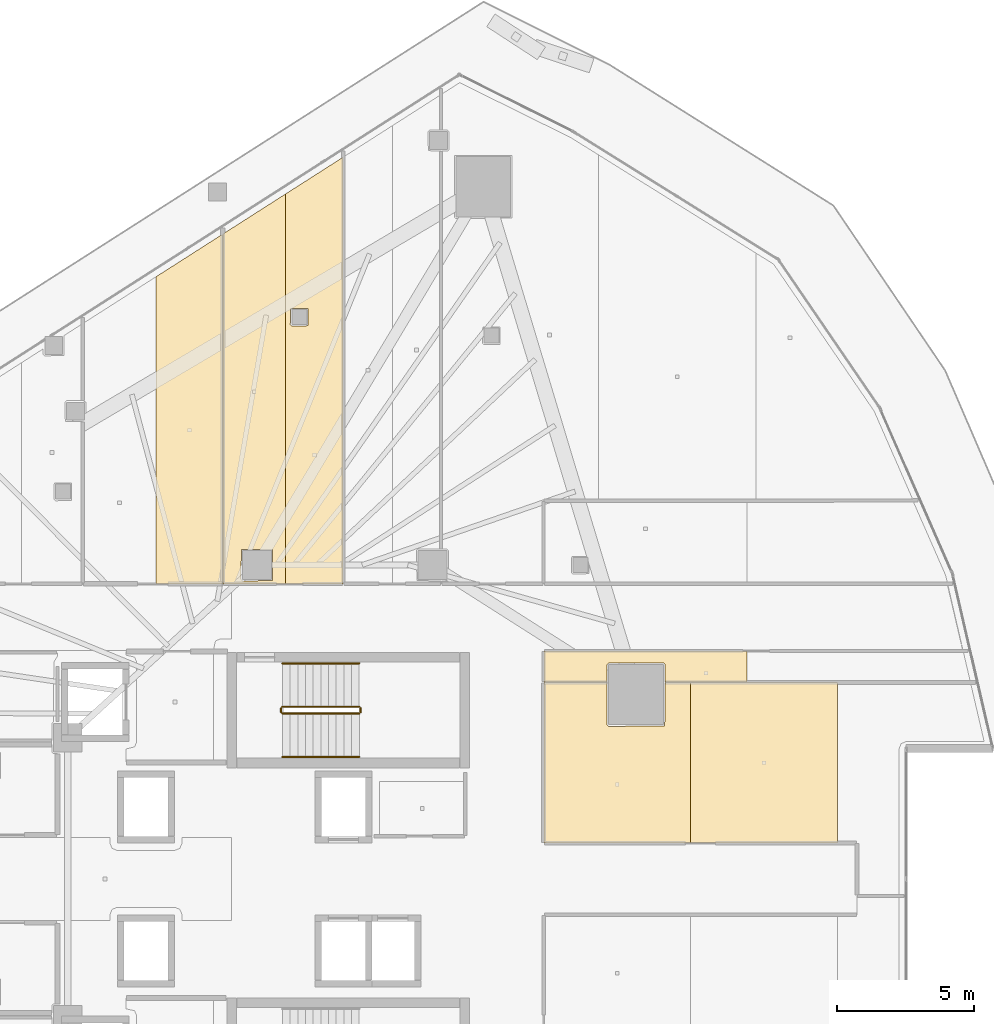
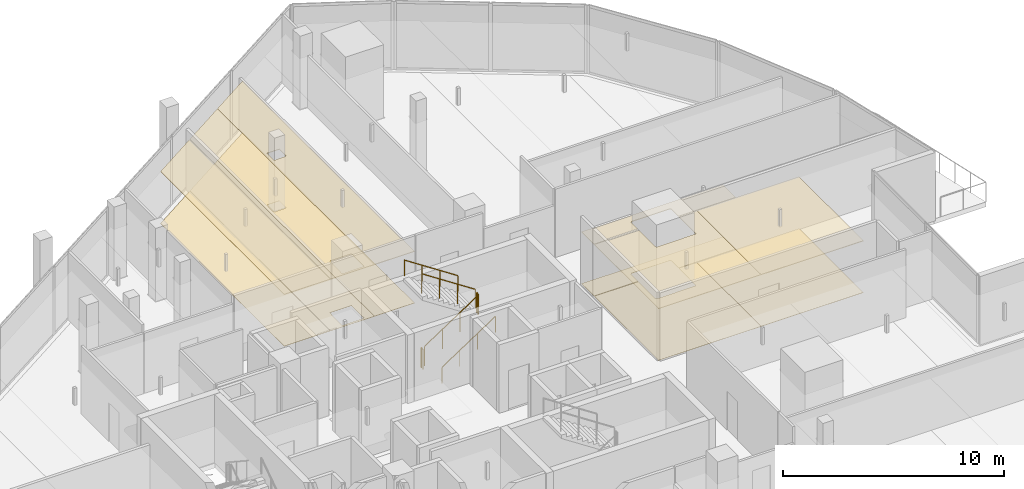
# One storey, part 38 of 39: 12 coverings, 6 railings.
"""IFC4 building model written with IfcOpenShell, lengths in metres."""

from ifc_helpers import new_model, si_unit, direction, frame, origin, origin_2d, place, context, subcontext, project, spatial, polyline, circle, outline, extrude, material, layer, layer_set, type_object, element, save


model = new_model("IFC4")

# Units and contexts
model_context = context("Model", 3, precision=1e-05, world=origin(), true_north=direction((0.0, 1.0)))
body_context = subcontext(model_context, "Body", "Model", "MODEL_VIEW")
ifc_project = project(units=[si_unit("LENGTHUNIT", "METRE"), si_unit("AREAUNIT", "SQUARE_METRE"), si_unit("VOLUMEUNIT", "CUBIC_METRE"), si_unit("PLANEANGLEUNIT", "RADIAN"), si_unit("MASSUNIT", "GRAM", prefix="KILO")], contexts=[model_context])

# Site, building, storey
site_placement = place(None, origin())
site = spatial("IfcSite", under=ifc_project, at=site_placement, CompositionType="ELEMENT")
building_placement = place(site_placement, origin())
building = spatial("IfcBuilding", under=site, at=building_placement, Name="Qorvath Tower", CompositionType="ELEMENT")
storey_placement = place(building_placement, frame((0.0, 0.0, 162.449951171875)))
storey = spatial("IfcBuildingStorey", under=building, at=storey_placement, Name="L37", CompositionType="ELEMENT", Elevation=162.449951171875)

# Coverings
ifc_material_1 = material(Name="Acoustic mineral fibre ceiling tile", Category="gypsum")
ifc_layer_1 = layer(ifc_material_1, 0.030029296875)
ifc_layer_set_1 = layer_set([ifc_layer_1], Name="COV-CEIL")
covering_type_1 = type_object("IfcCoveringType", Name="COV-CEIL", PredefinedType="CEILING", material=ifc_layer_set_1)
covering_1_placement = place(storey_placement, frame((0.0, 0.0, 2.85009765625)))
element("IfcCovering", 1, at=covering_1_placement, inside=storey, type_object=covering_type_1, Name="L37 Suspended Acoustic Ceiling 014", PredefinedType="CEILING", context=body_context, shape_type="SweptSolid", body=[
    extrude(outline(polyline([(-27.275634765625, 21.96728515625), (-27.275634765625, 10.762939453125), (-24.8603515625, 10.762939453125), (-24.8603515625, 23.510986328125), (-27.275634765625, 21.96728515625)])), origin(), (0.0, 0.0, 1.0), 0.030029296875),
])
covering_2_placement = place(storey_placement, frame((0.0, 0.0, 2.85009765625)))
element("IfcCovering", 2, at=covering_2_placement, inside=storey, type_object=covering_type_1, Name="L37 Suspended Acoustic Ceiling 015", PredefinedType="CEILING", context=body_context, shape_type="SweptSolid", body=[
    extrude(outline(polyline([(-24.84228515625, 23.5224609375), (-24.84228515625, 10.762939453125), (-22.55810546875, 10.762939453125), (-22.55810546875, 24.982421875), (-24.84228515625, 23.5224609375)]), holes=[polyline([(-24.18505859375, 10.925048828125), (-24.16748046875, 12.017333984375), (-23.032470703125, 12.017333984375), (-23.032470703125, 10.882568359375), (-24.125, 10.864990234375), (-24.18505859375, 10.925048828125)])]), origin(), (0.0, 0.0, 1.0), 0.030029296875),
])
covering_3_placement = place(storey_placement, frame((0.0, 0.0, 2.85009765625)))
element("IfcCovering", 3, at=covering_3_placement, inside=storey, type_object=covering_type_1, Name="L37 Suspended Acoustic Ceiling 016", PredefinedType="CEILING", context=body_context, shape_type="SweptSolid", body=[
    extrude(outline(polyline([(-22.55810546875, 24.982421875), (-22.55810546875, 10.762939453125), (-20.455810546875, 10.762939453125), (-20.455810546875, 26.325927734375), (-22.55810546875, 24.982421875)]), holes=[polyline([(-22.38818359375, 20.219970703125), (-22.37060546875, 20.812255859375), (-21.73583984375, 20.812255859375), (-21.73583984375, 20.177490234375), (-22.328125, 20.159912109375), (-22.38818359375, 20.219970703125)])]), origin(), (0.0, 0.0, 1.0), 0.030029296875),
])
covering_4_placement = place(storey_placement, frame((0.0, 0.0, 2.85009765625)))
element("IfcCovering", 4, at=covering_4_placement, inside=storey, type_object=covering_type_1, Name="L37 Suspended Acoustic Ceiling 035", PredefinedType="CEILING", context=body_context, shape_type="SweptSolid", body=[
    extrude(outline(polyline([(-7.782958984375, 1.31298828125), (-7.782958984375, 7.156494140625), (-8.710205078125, 7.156494140625), (-8.727783203125, 5.578857421875), (-10.770263671875, 5.561279296875), (-10.830322265625, 5.621337890625), (-10.830322265625, 7.156494140625), (-13.136962890625, 7.156494140625), (-13.136962890625, 1.31298828125), (-7.782958984375, 1.31298828125)])), origin(), (0.0, 0.0, 1.0), 0.030029296875),
])
covering_5_placement = place(storey_placement, frame((0.0, 0.0, 2.85009765625)))
element("IfcCovering", 5, at=covering_5_placement, inside=storey, type_object=covering_type_1, Name="L37 Suspended Acoustic Ceiling 036", PredefinedType="CEILING", context=body_context, shape_type="SweptSolid", body=[
    extrude(outline(polyline([(-2.428955078125, 1.31298828125), (-2.428955078125, 7.156494140625), (-7.782958984375, 7.156494140625), (-7.782958984375, 1.31298828125), (-2.428955078125, 1.31298828125)])), origin(), (0.0, 0.0, 1.0), 0.030029296875),
])
covering_6_placement = place(storey_placement, frame((0.0, 0.0, 2.85009765625)))
element("IfcCovering", 6, at=covering_6_placement, inside=storey, type_object=covering_type_1, Name="L37 Suspended Acoustic Ceiling 039", PredefinedType="CEILING", context=body_context, shape_type="SweptSolid", body=[
    extrude(outline(polyline([(-8.710205078125, 7.8212890625), (-8.710205078125, 7.174560546875), (-5.72900390625, 7.174560546875), (-5.72900390625, 8.31005859375), (-13.136962890625, 8.306884765625), (-13.136962890625, 7.174560546875), (-10.830322265625, 7.174560546875), (-10.830322265625, 7.8212890625), (-10.770263671875, 7.88134765625), (-8.770263671875, 7.88134765625), (-8.710205078125, 7.8212890625)])), origin(), (0.0, 0.0, 1.0), 0.030029296875),
])
ifc_material_2 = material(Name="Low-VOC modular carpet tile", Category="textile")
ifc_layer_2 = layer(ifc_material_2, 0.014892578125)
ifc_layer_set_2 = layer_set([ifc_layer_2], Name="COV-FLOOR-CPT")
covering_type_2 = type_object("IfcCoveringType", Name="COV-FLOOR-CPT", PredefinedType="FLOORING", material=ifc_layer_set_2)
covering_7_placement = place(storey_placement, origin())
element("IfcCovering", 7, at=covering_7_placement, inside=storey, type_object=covering_type_2, Name="L37 Floor Finish 014", PredefinedType="FLOORING", context=body_context, shape_type="SweptSolid", body=[
    extrude(outline(polyline([(-27.275634765625, 21.96728515625), (-27.275634765625, 10.762939453125), (-24.8603515625, 10.762939453125), (-24.8603515625, 23.510986328125), (-27.275634765625, 21.96728515625)])), origin(), (0.0, 0.0, 1.0), 0.01513671875),
])
covering_8_placement = place(storey_placement, origin())
element("IfcCovering", 8, at=covering_8_placement, inside=storey, type_object=covering_type_2, Name="L37 Floor Finish 015", PredefinedType="FLOORING", context=body_context, shape_type="SweptSolid", body=[
    extrude(outline(polyline([(-24.84228515625, 23.5224609375), (-24.84228515625, 10.762939453125), (-22.55810546875, 10.762939453125), (-22.55810546875, 24.982421875), (-24.84228515625, 23.5224609375)]), holes=[polyline([(-24.18505859375, 10.925048828125), (-24.16748046875, 12.017333984375), (-23.032470703125, 12.017333984375), (-23.032470703125, 10.882568359375), (-24.125, 10.864990234375), (-24.18505859375, 10.925048828125)])]), origin(), (0.0, 0.0, 1.0), 0.01513671875),
])
covering_9_placement = place(storey_placement, origin())
element("IfcCovering", 9, at=covering_9_placement, inside=storey, type_object=covering_type_2, Name="L37 Floor Finish 016", PredefinedType="FLOORING", context=body_context, shape_type="SweptSolid", body=[
    extrude(outline(polyline([(-22.55810546875, 24.982421875), (-22.55810546875, 10.762939453125), (-20.455810546875, 10.762939453125), (-20.455810546875, 26.325927734375), (-22.55810546875, 24.982421875)]), holes=[polyline([(-22.38818359375, 20.219970703125), (-22.37060546875, 20.812255859375), (-21.73583984375, 20.812255859375), (-21.73583984375, 20.177490234375), (-22.328125, 20.159912109375), (-22.38818359375, 20.219970703125)])]), origin(), (0.0, 0.0, 1.0), 0.01513671875),
])
covering_10_placement = place(storey_placement, origin())
element("IfcCovering", 10, at=covering_10_placement, inside=storey, type_object=covering_type_2, Name="L37 Floor Finish 035", PredefinedType="FLOORING", context=body_context, shape_type="SweptSolid", body=[
    extrude(outline(polyline([(-7.782958984375, 1.31298828125), (-7.782958984375, 7.156494140625), (-8.710205078125, 7.156494140625), (-8.727783203125, 5.578857421875), (-10.770263671875, 5.561279296875), (-10.830322265625, 5.621337890625), (-10.830322265625, 7.156494140625), (-13.136962890625, 7.156494140625), (-13.136962890625, 1.31298828125), (-7.782958984375, 1.31298828125)])), origin(), (0.0, 0.0, 1.0), 0.01513671875),
])
covering_11_placement = place(storey_placement, origin())
element("IfcCovering", 11, at=covering_11_placement, inside=storey, type_object=covering_type_2, Name="L37 Floor Finish 036", PredefinedType="FLOORING", context=body_context, shape_type="SweptSolid", body=[
    extrude(outline(polyline([(-2.428955078125, 1.31298828125), (-2.428955078125, 7.156494140625), (-7.782958984375, 7.156494140625), (-7.782958984375, 1.31298828125), (-2.428955078125, 1.31298828125)])), origin(), (0.0, 0.0, 1.0), 0.01513671875),
])
covering_12_placement = place(storey_placement, origin())
element("IfcCovering", 12, at=covering_12_placement, inside=storey, type_object=covering_type_2, Name="L37 Floor Finish 039", PredefinedType="FLOORING", context=body_context, shape_type="SweptSolid", body=[
    extrude(outline(polyline([(-8.710205078125, 7.8212890625), (-8.710205078125, 7.174560546875), (-5.72900390625, 7.174560546875), (-5.72900390625, 8.31005859375), (-13.136962890625, 8.306884765625), (-13.136962890625, 7.174560546875), (-10.830322265625, 7.174560546875), (-10.830322265625, 7.8212890625), (-10.770263671875, 7.88134765625), (-8.770263671875, 7.88134765625), (-8.710205078125, 7.8212890625)])), origin(), (0.0, 0.0, 1.0), 0.01513671875),
])

# Railings
ifc_material_3 = material(Name="Painted galvanised steel", Category="steel")
railing_type_1 = type_object("IfcRailingType", Name="RL-STR-GRD", PredefinedType="GUARDRAIL", material=ifc_material_3)
railing_1_placement = place(storey_placement, frame((-22.669921875, 6.030029296875, 0.18408203125)))
element("IfcRailing", 13, at=railing_1_placement, inside=storey, type_object=railing_type_1, Name="L37 TS1 stair guard 1", PredefinedType="GUARDRAIL", context=body_context, shape_type="SweptSolid", body=[
    extrude(circle(Radius=0.02392578125, at=origin_2d()), frame((0.0, 0.0, 1.076171875), z_axis=(0.835542071712, 0.0, 0.549426470421), x_axis=(0.0, 1.0, 0.0)), (0.0, 0.0, 1.0), 3.350830078125),
    extrude(circle(Radius=0.02099609375, at=origin_2d()), origin(), (0.0, 0.0, 1.0), 1.052001953125),
    extrude(circle(Radius=0.02099609375, at=origin_2d()), frame((0.933349609375, 0.0, 0.61376953125)), (0.0, 0.0, 1.0), 1.052001953125),
    extrude(circle(Radius=0.02099609375, at=origin_2d()), frame((1.866455078125, 0.0, 1.227294921875)), (0.0, 0.0, 1.0), 1.052001953125),
    extrude(circle(Radius=0.02099609375, at=origin_2d()), frame((2.7998046875, 0.0, 1.841064453125)), (0.0, 0.0, 1.0), 1.052001953125),
])
railing_2_placement = place(storey_placement, frame((-19.820068359375, 6.080078125, 2.025146484375)))
element("IfcRailing", 14, at=railing_2_placement, inside=storey, type_object=railing_type_1, Name="L37 TS1 stair guard 2", PredefinedType="GUARDRAIL", context=body_context, shape_type="SweptSolid", body=[
    extrude(circle(Radius=0.02392578125, at=origin_2d()), frame((0.0, 0.0, 1.076171875), z_axis=(0.0, 1.0, 0.0), x_axis=(-1.0, 0.0, 0.0)), (0.0, 0.0, 1.0), 0.14990234375),
    extrude(circle(Radius=0.02099609375, at=origin_2d()), origin(), (0.0, 0.0, 1.0), 1.052001953125),
    extrude(circle(Radius=0.02099609375, at=origin_2d()), frame((0.0, 0.14990234375, 0.0)), (0.0, 0.0, 1.0), 1.052001953125),
])
railing_3_placement = place(storey_placement, frame((-19.8701171875, 6.280029296875, 2.209228515625)))
element("IfcRailing", 15, at=railing_3_placement, inside=storey, type_object=railing_type_1, Name="L37 TS1 stair guard 3", PredefinedType="GUARDRAIL", context=body_context, shape_type="SweptSolid", body=[
    extrude(circle(Radius=0.02392578125, at=origin_2d()), frame((0.0, 0.0, 1.076171875), z_axis=(-0.835575518608, 0.0, 0.549375602573), x_axis=(0.0, -1.0, 0.0)), (0.0, 0.0, 1.0), 3.350830078125),
    extrude(circle(Radius=0.02099609375, at=origin_2d()), origin(), (0.0, 0.0, 1.0), 1.052001953125),
    extrude(circle(Radius=0.02099609375, at=origin_2d()), frame((-0.933349609375, 0.0, 0.613525390625)), (0.0, 0.0, 1.0), 1.052001953125),
    extrude(circle(Radius=0.02099609375, at=origin_2d()), frame((-1.866455078125, 0.0, 1.227294921875)), (0.0, 0.0, 1.0), 1.052001953125),
    extrude(circle(Radius=0.02099609375, at=origin_2d()), frame((-2.7998046875, 0.0, 1.8408203125)), (0.0, 0.0, 1.0), 1.052001953125),
])
railing_4_placement = place(storey_placement, frame((-22.719970703125, 6.080078125, 0.0)))
element("IfcRailing", 16, at=railing_4_placement, inside=storey, type_object=railing_type_1, Name="L37 TS1 stair guard 4", PredefinedType="GUARDRAIL", context=body_context, shape_type="SweptSolid", body=[
    extrude(circle(Radius=0.02392578125, at=origin_2d()), frame((0.0, 0.0, 1.076171875), z_axis=(0.0, 1.0, 0.0), x_axis=(-1.0, 0.0, 0.0)), (0.0, 0.0, 1.0), 0.14990234375),
    extrude(circle(Radius=0.02099609375, at=origin_2d()), origin(), (0.0, 0.0, 1.0), 1.052001953125),
    extrude(circle(Radius=0.02099609375, at=origin_2d()), frame((0.0, 0.14990234375, 0.0)), (0.0, 0.0, 1.0), 1.052001953125),
])
ifc_material_4 = material(Name="Brushed stainless steel AISI 304", Category="steel")
railing_type_2 = type_object("IfcRailingType", Name="RL-STR-HND", PredefinedType="HANDRAIL", material=ifc_material_4)
railing_5_placement = place(storey_placement, frame((-22.669921875, 4.449951171875, 0.18408203125)))
element("IfcRailing", 17, at=railing_5_placement, inside=storey, type_object=railing_type_2, Name="L37 TS1 stair handrail 1", PredefinedType="HANDRAIL", context=body_context, shape_type="SweptSolid", body=[
    extrude(circle(Radius=0.02392578125, at=origin_2d()), frame((0.0, 0.0, 0.8759765625), z_axis=(0.835542071712, 0.0, 0.549426470421), x_axis=(0.0, 1.0, 0.0)), (0.0, 0.0, 1.0), 3.350830078125),
    extrude(circle(Radius=0.02099609375, at=origin_2d()), origin(), (0.0, 0.0, 1.0), 0.851806640625),
    extrude(circle(Radius=0.02099609375, at=origin_2d()), frame((0.933349609375, 0.0, 0.61376953125)), (0.0, 0.0, 1.0), 0.851806640625),
    extrude(circle(Radius=0.02099609375, at=origin_2d()), frame((1.866455078125, 0.0, 1.227294921875)), (0.0, 0.0, 1.0), 0.851806640625),
    extrude(circle(Radius=0.02099609375, at=origin_2d()), frame((2.7998046875, 0.0, 1.841064453125)), (0.0, 0.0, 1.0), 0.851806640625),
])
railing_6_placement = place(storey_placement, frame((-19.8701171875, 7.860107421875, 2.209228515625)))
element("IfcRailing", 18, at=railing_6_placement, inside=storey, type_object=railing_type_2, Name="L37 TS1 stair handrail 2", PredefinedType="HANDRAIL", context=body_context, shape_type="SweptSolid", body=[
    extrude(circle(Radius=0.02392578125, at=origin_2d()), frame((0.0, 0.0, 0.8759765625), z_axis=(-0.835575518608, 0.0, 0.549375602573), x_axis=(0.0, -1.0, 0.0)), (0.0, 0.0, 1.0), 3.350830078125),
    extrude(circle(Radius=0.02099609375, at=origin_2d()), origin(), (0.0, 0.0, 1.0), 0.851806640625),
    extrude(circle(Radius=0.02099609375, at=origin_2d()), frame((-0.933349609375, 0.0, 0.613525390625)), (0.0, 0.0, 1.0), 0.851806640625),
    extrude(circle(Radius=0.02099609375, at=origin_2d()), frame((-1.866455078125, 0.0, 1.227294921875)), (0.0, 0.0, 1.0), 0.851806640625),
    extrude(circle(Radius=0.02099609375, at=origin_2d()), frame((-2.7998046875, 0.0, 1.8408203125)), (0.0, 0.0, 1.0), 0.851806640625),
])

save(model, "model.ifc")
